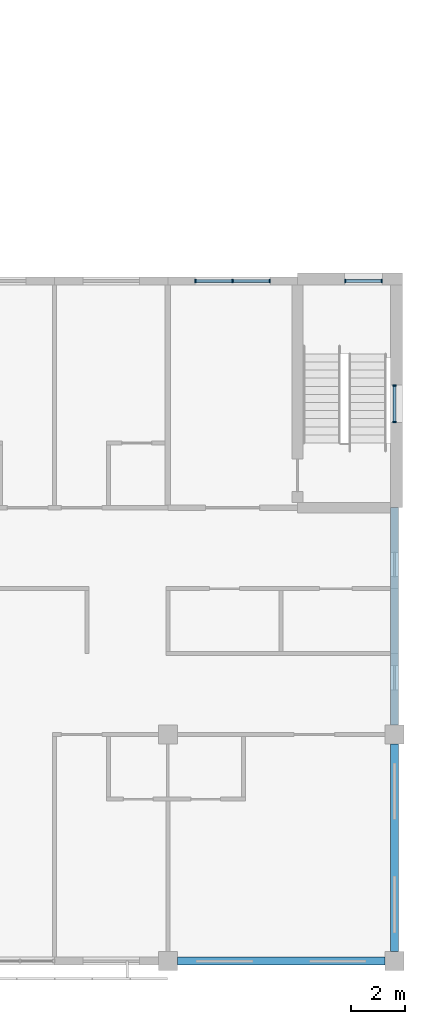
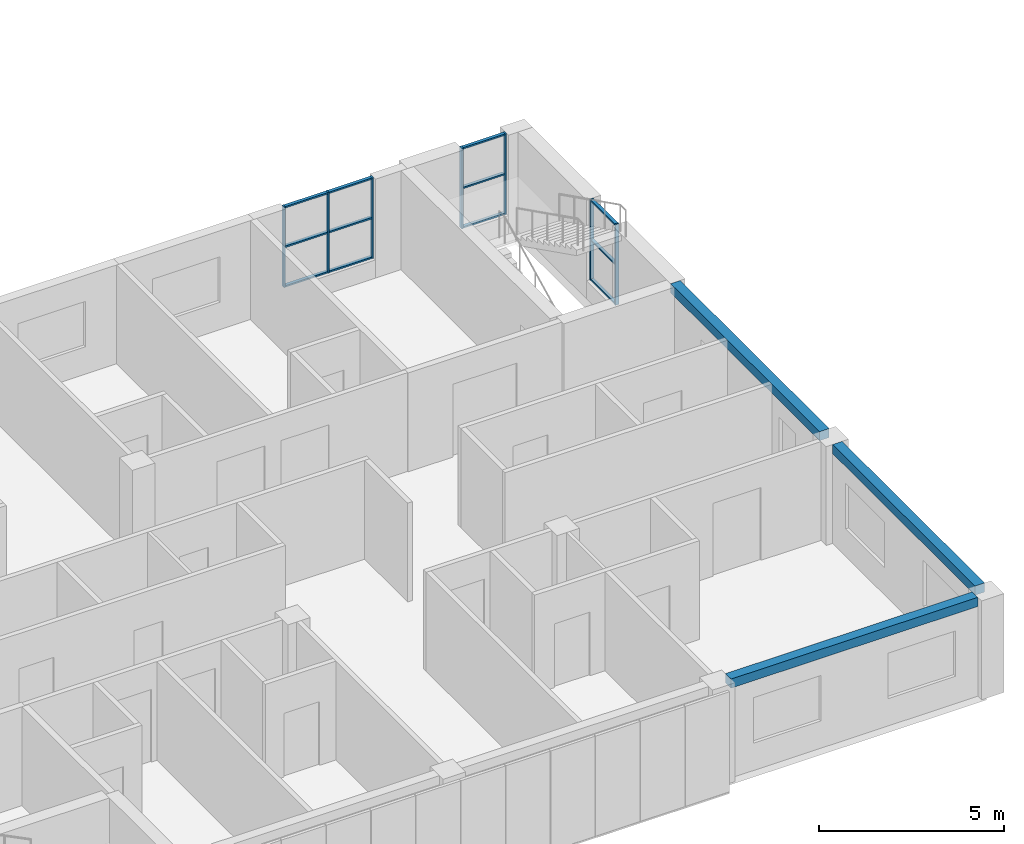
# One storey, part 17 of 45: 19 members, 3 beams, 3 elements without a shape of their own.
"""IFC4 building model written with IfcOpenShell, lengths in metres."""

import ifcopenshell
import ifcopenshell.guid

model = None  # the IFC model being written
_history = None  # IfcOwnerHistory: only IFC2X3 demands one
_inside = {}  # id of a spatial element -> (the spatial element, [elements in it])
_under = {}  # id of a project, library or spatial element -> (it, [spatial elements below it])
_declared = {}  # id of a project -> (the project, [libraries it declares])
_typed = {}  # id of a type object -> (the type object, [elements of that type])
_made_of = {}  # id of a material, layer set ... -> (it, [elements and type objects made of it])


def new_model(schema):
    """Start an empty IFC model of exactly this schema.

    Asked for "IFC4X3", IfcOpenShell would pick the latest addendum, in which some entities
    have other attributes; the version numbers below select the first issue.
    IFC2X3 requires an IfcOwnerHistory on every rooted entity: one is made here for all.
    """
    global model, _history
    if schema == "IFC4X3":
        model = ifcopenshell.file(schema_version=(4, 3, 0, 0))
    else:
        model = ifcopenshell.file(schema=schema)
    _inside.clear()
    _under.clear()
    _declared.clear()
    _typed.clear()
    _made_of.clear()
    _history = None
    if model.schema == "IFC2X3":
        org = make("IfcOrganization", Name="unknown")
        user = make(
            "IfcPersonAndOrganization",
            ThePerson=make("IfcPerson", FamilyName="unknown"),
            TheOrganization=org,
        )
        app = make(
            "IfcApplication",
            ApplicationDeveloper=org,
            Version="unknown",
            ApplicationFullName="unknown",
            ApplicationIdentifier="unknown",
        )
        _history = make(
            "IfcOwnerHistory",
            OwningUser=user,
            OwningApplication=app,
            ChangeAction="ADDED",
            CreationDate=0,
        )
    return model


def make(cls, **values):
    """One entity of the class cls with the attributes given. An attribute that is None is left unset."""
    return model.create_entity(
        cls, **{name: value for name, value in values.items() if value is not None}
    )


def rooted(cls, **values):
    """An entity with a GlobalId (a new one), such as an element, a storey or a relation."""
    return make(cls, GlobalId=ifcopenshell.guid.new(), OwnerHistory=_history, **values)


def si_unit(unit_type, name, prefix=None):
    """IfcSIUnit, for example si_unit("LENGTHUNIT", "METRE", prefix="MILLI")."""
    return make("IfcSIUnit", UnitType=unit_type, Prefix=prefix, Name=name)


def assignment(units):
    """IfcUnitAssignment: the units of a project."""
    return None if units is None else make("IfcUnitAssignment", Units=units)


def point(xyz):
    """IfcCartesianPoint."""
    return None if xyz is None else make("IfcCartesianPoint", Coordinates=xyz)


def direction(xyz):
    """IfcDirection."""
    return None if xyz is None else make("IfcDirection", DirectionRatios=xyz)


def frame(location, z_axis=None, x_axis=None):
    """IfcAxis2Placement3D, a coordinate frame: its origin and axes. An axis left out is left unset."""
    return make(
        "IfcAxis2Placement3D",
        Location=point(location),
        Axis=direction(z_axis),
        RefDirection=direction(x_axis),
    )


def frame_2d(location, x_axis=None):
    """IfcAxis2Placement2D, a coordinate frame in the plane: its origin and x axis."""
    return make(
        "IfcAxis2Placement2D", Location=point(location), RefDirection=direction(x_axis)
    )


def origin():
    """The frame at (0, 0, 0) with its axes left unset."""
    return frame((0.0, 0.0, 0.0))


def origin_2d():
    """The frame at (0, 0) in the plane with its x axis left unset."""
    return frame_2d((0.0, 0.0))


def place(relative_to, where):
    """IfcLocalPlacement: puts the frame where relative to a parent placement (None: the world)."""
    return make(
        "IfcLocalPlacement", PlacementRelTo=relative_to, RelativePlacement=where
    )


def context(
    kind, dimensions, precision=None, world=None, true_north=None, identifier=None
):
    """IfcGeometricRepresentationContext, for example the 3D "Model" context."""
    return make(
        "IfcGeometricRepresentationContext",
        ContextIdentifier=identifier,
        ContextType=kind,
        CoordinateSpaceDimension=dimensions,
        Precision=precision,
        WorldCoordinateSystem=world,
        TrueNorth=true_north,
    )


def subcontext(parent, identifier, kind, view, scale=None):
    """IfcGeometricRepresentationSubContext, for example "Body" below "Model"."""
    return make(
        "IfcGeometricRepresentationSubContext",
        ContextIdentifier=identifier,
        ContextType=kind,
        ParentContext=parent,
        TargetScale=scale,
        TargetView=view,
    )


def project(units=None, contexts=None):
    """IfcProject with its units and contexts."""
    return rooted(
        "IfcProject",
        Name="project",
        RepresentationContexts=contexts,
        UnitsInContext=assignment(units),
    )


def spatial(cls, under=None, at=None, **own):
    """A site, building, storey or space (cls), placed at a placement, below another one or the project."""
    s = rooted(cls, ObjectPlacement=at, **own)
    if under is not None:
        _under.setdefault(under.id(), (under, []))[1].append(s)
    return s


def profile(cls, at=None, kind="AREA", **sizes):
    """A parametric profile (cls). Its sizes go by their IFC names, for example OverallWidth=200.0."""
    return make(cls, ProfileType=kind, Position=at, **sizes)


def rectangle(**sizes):
    """IfcRectangleProfileDef."""
    return profile("IfcRectangleProfileDef", **sizes)


def extrude(swept, where, along, depth):
    """IfcExtrudedAreaSolid: the profile swept, set in the frame where, extruded along a direction by depth."""
    return make(
        "IfcExtrudedAreaSolid",
        SweptArea=swept,
        Position=where,
        ExtrudedDirection=direction(along),
        Depth=depth,
    )


def shape(context_of_items, identifier, shape_type, items):
    """IfcShapeRepresentation: the items that make up one representation, for example the "Body"."""
    return make(
        "IfcShapeRepresentation",
        ContextOfItems=context_of_items,
        RepresentationIdentifier=identifier,
        RepresentationType=shape_type,
        Items=items,
    )


def material(Name=None, Category=None):
    """IfcMaterial."""
    return make("IfcMaterial", Name=Name, Category=Category)


def material_profile(
    of_material, cross_section, Name=None, Category=None, Priority=None
):
    """IfcMaterialProfile: a cross section and its material."""
    return make(
        "IfcMaterialProfile",
        Name=Name,
        Material=of_material,
        Profile=cross_section,
        Priority=Priority,
        Category=Category,
    )


def profile_set(profiles, Name=None, composite=None):
    """IfcMaterialProfileSet."""
    return make(
        "IfcMaterialProfileSet",
        Name=Name,
        MaterialProfiles=profiles,
        CompositeProfile=composite,
    )


def made_of(thing, what):
    """Note that an element or type object is made of a material, layer set ...; save() writes the relation."""
    if what is not None:
        _made_of.setdefault(what.id(), (what, []))[1].append(thing)
    return thing


def type_object(cls, material=None, **own):
    """A type object (cls), such as IfcWallType, which elements share."""
    return made_of(rooted(cls, **own), material)


def element(
    cls,
    number,
    at=None,
    inside=None,
    cuts=None,
    type_object=None,
    material=None,
    context=None,
    identifier="Body",
    shape_type=None,
    held_by="IfcProductDefinitionShape",
    body=None,
    shapes=None,
    **own,
):
    """One element of the class cls, such as IfcWall. Its Tag is "e" and its number.

    at: its placement. inside: the storey or other place that contains it. cuts: it is an
    opening in that element (IfcRelVoidsElement). A single representation is given by context,
    identifier, shape_type and body (its items); several are given by shapes. held_by: the class
    of the entity that holds the representations. save() writes the other relations.
    """
    e = rooted(cls, Tag="e%d" % number, ObjectPlacement=at, **own)
    if body is not None:
        shapes = [shape(context, identifier, shape_type, body)]
    if shapes is not None:
        e.Representation = make(held_by, Representations=shapes)
    if inside is not None:
        _inside.setdefault(inside.id(), (inside, []))[1].append(e)
    if cuts is not None:
        rooted(
            "IfcRelVoidsElement", RelatingBuildingElement=cuts, RelatedOpeningElement=e
        )
    if type_object is not None:
        _typed.setdefault(type_object.id(), (type_object, []))[1].append(e)
    return made_of(e, material)


def aggregate(whole, parts):
    """IfcRelAggregates: a whole, such as a stair, and the parts it consists of."""
    return rooted("IfcRelAggregates", RelatingObject=whole, RelatedObjects=parts)


def save(model, path):
    """Write the relations noted so far, then the file.

    IfcRelAggregates (storeys below a building ...), IfcRelContainedInSpatialStructure (elements
    in a storey), IfcRelDefinesByType, IfcRelAssociatesMaterial and IfcRelDeclares: one each for
    every whole, place, type object, material and project.
    """
    for whole, parts in _under.values():
        aggregate(whole, parts)
    for where, things in _inside.values():
        rooted(
            "IfcRelContainedInSpatialStructure",
            RelatedElements=things,
            RelatingStructure=where,
        )
    for kind, things in _typed.values():
        rooted("IfcRelDefinesByType", RelatedObjects=things, RelatingType=kind)
    for what, things in _made_of.values():
        rooted("IfcRelAssociatesMaterial", RelatedObjects=things, RelatingMaterial=what)
    for by, libraries in _declared.values():
        rooted("IfcRelDeclares", RelatingContext=by, RelatedDefinitions=libraries)
    model.write(path)


model = new_model("IFC4")

# Units and contexts
model_context = context("Model", 3, precision=1e-05, world=origin(), true_north=direction((0.0, 1.0)))
body_context = subcontext(model_context, "Body", "Model", "MODEL_VIEW")
ifc_project = project(units=[si_unit("LENGTHUNIT", "METRE"), si_unit("AREAUNIT", "SQUARE_METRE"), si_unit("VOLUMEUNIT", "CUBIC_METRE"), si_unit("PLANEANGLEUNIT", "RADIAN"), si_unit("MASSUNIT", "GRAM", prefix="KILO")], contexts=[model_context])

# Site, building, storey
site_placement = place(None, origin())
site = spatial("IfcSite", under=ifc_project, at=site_placement, CompositionType="ELEMENT")
building_placement = place(site_placement, origin())
building = spatial("IfcBuilding", under=site, at=building_placement, Name="Yavir Park General Hospital", CompositionType="ELEMENT")
storey_placement = place(building_placement, frame((0.0, 0.0, 22.5)))
storey = spatial("IfcBuildingStorey", under=building, at=storey_placement, Name="L05", CompositionType="ELEMENT", Elevation=22.5)

# Beams
ifc_material_1 = material(Name="Concrete C35/45", Category="concrete")
ifc_material_profile_1 = material_profile(ifc_material_1, rectangle(XDim=0.300048828125, YDim=0.300048828125, at=origin_2d()), Name="RC300x300")
ifc_profile_set_1 = profile_set([ifc_material_profile_1], Name="Concrete C35/45")
beam_type = type_object("IfcBeamType", Name="RC BEAM 300x300 edge beam", PredefinedType="BEAM", material=ifc_profile_set_1)
for number, where, z_axis, x_axis, name in (
    (1, (159.949951171875, 0.0, 3.110107421875), (1.0, 0.0, 0.0), (0.0, 1.0, 0.0), "B:EDGE:L05:010"),
    (2, (168.0, 0.35009765625, 3.110107421875), (0.0, 1.0, 0.0), (-1.0, 0.0, 0.0), "B:EDGE:L05:037"),
):
    element("IfcBeam", number, at=place(storey_placement, frame(where, z_axis=z_axis, x_axis=x_axis)), inside=storey, type_object=beam_type, Name=name, PredefinedType="BEAM", context=body_context, shape_type="SweptSolid", body=[
        extrude(rectangle(XDim=0.300048828125, YDim=0.300048828125, at=origin_2d()), origin(), (0.0, 0.0, 1.0), 7.699951171875),
    ])
beam_placement = place(storey_placement, frame((168.0, 8.75, 3.110107421875), z_axis=(0.0, 1.0, 0.0), x_axis=(-1.0, 0.0, 0.0)))
element("IfcBeam", 3, at=beam_placement, inside=storey, type_object=beam_type, Name="B:EDGE:L05:038", PredefinedType="BEAM", context=body_context, shape_type="SweptSolid", body=[
    extrude(rectangle(XDim=0.300048828125, YDim=0.300048828125, at=origin_2d()), origin(), (0.0, 0.0, 1.0), 8.050048828125),
])

# Curtain wall, members
ifc_material_2 = material(Name="Aluminium curtain wall frame with insulated glazing", Category="aluminium")
curtain_wall_type_1 = type_object("IfcCurtainWallType", Name="Stair light slot, ward floors, 2660 high, 1400 module", PredefinedType="NOTDEFINED", material=ifc_material_2)
curtain_wall_1_placement = place(storey_placement, origin())
curtain_wall_1 = element("IfcCurtainWall", 4, at=curtain_wall_1_placement, inside=storey, type_object=curtain_wall_type_1, Name="CW10 L05-014", PredefinedType="NOTDEFINED")
ifc_material_3 = material(Name="Aluminium", Category="aluminium")
ifc_material_profile_2 = material_profile(ifc_material_3, rectangle(XDim=0.1201171875, YDim=0.050048828125, at=origin_2d()), Name="AL 50x120")
ifc_profile_set_2 = profile_set([ifc_material_profile_2], Name="Aluminium")
member_type_1 = type_object("IfcMemberType", Name="Stair light slot, ward floors, 2660 high mullion 50 x 120", PredefinedType="MULLION", material=ifc_profile_set_2)
member_1_placement = place(storey_placement, frame((166.175048828125, 25.199951171875, 0.60009765625), z_axis=(0.0, 0.0, 1.0), x_axis=(0.0, 1.0, 0.0)))
member_1 = element("IfcMember", 5, at=member_1_placement, type_object=member_type_1, Name="CW10 mullion 1", PredefinedType="MULLION", context=body_context, shape_type="SweptSolid", body=[
    extrude(rectangle(XDim=0.1201171875, YDim=0.050048828125, at=origin_2d()), origin(), (0.0, 0.0, 1.0), 2.659912109375),
])
member_2_placement = place(storey_placement, frame((167.52490234375, 25.199951171875, 0.60009765625), z_axis=(0.0, 0.0, 1.0), x_axis=(0.0, 1.0, 0.0)))
member_2 = element("IfcMember", 6, at=member_2_placement, type_object=member_type_1, Name="CW10 mullion 2", PredefinedType="MULLION", context=body_context, shape_type="SweptSolid", body=[
    extrude(rectangle(XDim=0.1201171875, YDim=0.050048828125, at=origin_2d()), origin(), (0.0, 0.0, 1.0), 2.659912109375),
])

curtain_wall_2_placement = place(storey_placement, origin())
curtain_wall_2 = element("IfcCurtainWall", 7, at=curtain_wall_2_placement, inside=storey, type_object=curtain_wall_type_1, Name="CW10 L05-030", PredefinedType="NOTDEFINED")
member_3_placement = place(storey_placement, frame((168.0, 19.97509765625, 0.60009765625), z_axis=(0.0, 0.0, 1.0), x_axis=(-1.0, 0.0, 0.0)))
member_3 = element("IfcMember", 8, at=member_3_placement, type_object=member_type_1, Name="CW10 mullion 1", PredefinedType="MULLION", context=body_context, shape_type="SweptSolid", body=[
    extrude(rectangle(XDim=0.1201171875, YDim=0.050048828125, at=origin_2d()), origin(), (0.0, 0.0, 1.0), 2.659912109375),
])
member_4_placement = place(storey_placement, frame((168.0, 21.324951171875, 0.60009765625), z_axis=(0.0, 0.0, 1.0), x_axis=(-1.0, 0.0, 0.0)))
member_4 = element("IfcMember", 9, at=member_4_placement, type_object=member_type_1, Name="CW10 mullion 2", PredefinedType="MULLION", context=body_context, shape_type="SweptSolid", body=[
    extrude(rectangle(XDim=0.1201171875, YDim=0.050048828125, at=origin_2d()), origin(), (0.0, 0.0, 1.0), 2.659912109375),
])

# Member
ifc_material_4 = material(Name="Aluminium", Category="aluminium")
ifc_material_profile_3 = material_profile(ifc_material_4, rectangle(XDim=0.10009765625, YDim=0.050048828125, at=origin_2d()), Name="AL 100x50")
ifc_profile_set_3 = profile_set([ifc_material_profile_3], Name="Aluminium")
member_type_2 = type_object("IfcMemberType", Name="Stair light slot, ward floors, 2660 high transom 50 x 100", PredefinedType="MULLION", material=ifc_profile_set_3)
member_5_placement = place(storey_placement, frame((166.199951171875, 25.199951171875, 0.625), z_axis=(1.0, 0.0, 0.0), x_axis=(0.0, 1.0, 0.0)))
member_5 = element("IfcMember", 10, at=member_5_placement, type_object=member_type_2, Name="CW10 transom 1.1", PredefinedType="MULLION", context=body_context, shape_type="SweptSolid", body=[
    extrude(rectangle(XDim=0.10009765625, YDim=0.050048828125, at=origin_2d()), origin(), (0.0, 0.0, 1.0), 1.300048828125),
])

member_6_placement = place(storey_placement, frame((166.199951171875, 25.199951171875, 1.929931640625), z_axis=(1.0, 0.0, 0.0), x_axis=(0.0, 1.0, 0.0)))
member_6 = element("IfcMember", 11, at=member_6_placement, type_object=member_type_2, Name="CW10 transom 1.2", PredefinedType="MULLION", context=body_context, shape_type="SweptSolid", body=[
    extrude(rectangle(XDim=0.10009765625, YDim=0.050048828125, at=origin_2d()), origin(), (0.0, 0.0, 1.0), 1.300048828125),
])

member_7_placement = place(storey_placement, frame((166.199951171875, 25.199951171875, 3.235107421875), z_axis=(1.0, 0.0, 0.0), x_axis=(0.0, 1.0, 0.0)))
member_7 = element("IfcMember", 12, at=member_7_placement, type_object=member_type_2, Name="CW10 transom 1.3", PredefinedType="MULLION", context=body_context, shape_type="SweptSolid", body=[
    extrude(rectangle(XDim=0.10009765625, YDim=0.050048828125, at=origin_2d()), origin(), (0.0, 0.0, 1.0), 1.300048828125),
])

aggregate(curtain_wall_1, [member_1, member_2, member_5, member_6, member_7])

member_8_placement = place(storey_placement, frame((168.0, 20.0, 0.625), z_axis=(0.0, 1.0, 0.0), x_axis=(-1.0, 0.0, 0.0)))
member_8 = element("IfcMember", 13, at=member_8_placement, type_object=member_type_2, Name="CW10 transom 1.1", PredefinedType="MULLION", context=body_context, shape_type="SweptSolid", body=[
    extrude(rectangle(XDim=0.10009765625, YDim=0.050048828125, at=origin_2d()), origin(), (0.0, 0.0, 1.0), 1.300048828125),
])

member_9_placement = place(storey_placement, frame((168.0, 20.0, 1.929931640625), z_axis=(0.0, 1.0, 0.0), x_axis=(-1.0, 0.0, 0.0)))
member_9 = element("IfcMember", 14, at=member_9_placement, type_object=member_type_2, Name="CW10 transom 1.2", PredefinedType="MULLION", context=body_context, shape_type="SweptSolid", body=[
    extrude(rectangle(XDim=0.10009765625, YDim=0.050048828125, at=origin_2d()), origin(), (0.0, 0.0, 1.0), 1.300048828125),
])

member_10_placement = place(storey_placement, frame((168.0, 20.0, 3.235107421875), z_axis=(0.0, 1.0, 0.0), x_axis=(-1.0, 0.0, 0.0)))
member_10 = element("IfcMember", 15, at=member_10_placement, type_object=member_type_2, Name="CW10 transom 1.3", PredefinedType="MULLION", context=body_context, shape_type="SweptSolid", body=[
    extrude(rectangle(XDim=0.10009765625, YDim=0.050048828125, at=origin_2d()), origin(), (0.0, 0.0, 1.0), 1.300048828125),
])

aggregate(curtain_wall_2, [member_3, member_4, member_8, member_9, member_10])

# Curtain wall, members
ifc_material_5 = material(Name="Aluminium curtain wall frame with insulated glazing", Category="aluminium")
curtain_wall_type_2 = type_object("IfcCurtainWallType", Name="Ward corridor end glazing, 2660 high, 1400 module", PredefinedType="NOTDEFINED", material=ifc_material_5)
curtain_wall_3_placement = place(storey_placement, origin())
curtain_wall_3 = element("IfcCurtainWall", 16, at=curtain_wall_3_placement, inside=storey, type_object=curtain_wall_type_2, Name="CW15 L05-013", PredefinedType="NOTDEFINED")
ifc_material_6 = material(Name="Aluminium", Category="aluminium")
ifc_material_profile_4 = material_profile(ifc_material_6, rectangle(XDim=0.1201171875, YDim=0.050048828125, at=origin_2d()), Name="AL 50x120")
ifc_profile_set_4 = profile_set([ifc_material_profile_4], Name="Aluminium")
member_type_3 = type_object("IfcMemberType", Name="Ward corridor end glazing, 2660 high mullion 50 x 120", PredefinedType="MULLION", material=ifc_profile_set_4)
member_11_placement = place(storey_placement, frame((160.625, 25.199951171875, 0.60009765625), z_axis=(0.0, 0.0, 1.0), x_axis=(0.0, 1.0, 0.0)))
member_11 = element("IfcMember", 17, at=member_11_placement, type_object=member_type_3, Name="CW15 mullion 1", PredefinedType="MULLION", context=body_context, shape_type="SweptSolid", body=[
    extrude(rectangle(XDim=0.1201171875, YDim=0.050048828125, at=origin_2d()), origin(), (0.0, 0.0, 1.0), 2.659912109375),
])
member_12_placement = place(storey_placement, frame((162.0, 25.199951171875, 0.60009765625), z_axis=(0.0, 0.0, 1.0), x_axis=(0.0, 1.0, 0.0)))
member_12 = element("IfcMember", 18, at=member_12_placement, type_object=member_type_3, Name="CW15 mullion 2", PredefinedType="MULLION", context=body_context, shape_type="SweptSolid", body=[
    extrude(rectangle(XDim=0.1201171875, YDim=0.050048828125, at=origin_2d()), origin(), (0.0, 0.0, 1.0), 2.659912109375),
])
member_13_placement = place(storey_placement, frame((163.375, 25.199951171875, 0.60009765625), z_axis=(0.0, 0.0, 1.0), x_axis=(0.0, 1.0, 0.0)))
member_13 = element("IfcMember", 19, at=member_13_placement, type_object=member_type_3, Name="CW15 mullion 3", PredefinedType="MULLION", context=body_context, shape_type="SweptSolid", body=[
    extrude(rectangle(XDim=0.1201171875, YDim=0.050048828125, at=origin_2d()), origin(), (0.0, 0.0, 1.0), 2.659912109375),
])
ifc_material_7 = material(Name="Aluminium", Category="aluminium")
ifc_material_profile_5 = material_profile(ifc_material_7, rectangle(XDim=0.10009765625, YDim=0.050048828125, at=origin_2d()), Name="AL 100x50")
ifc_profile_set_5 = profile_set([ifc_material_profile_5], Name="Aluminium")
member_type_4 = type_object("IfcMemberType", Name="Ward corridor end glazing, 2660 high transom 50 x 100", PredefinedType="MULLION", material=ifc_profile_set_5)
member_14_placement = place(storey_placement, frame((160.64990234375, 25.199951171875, 0.625), z_axis=(1.0, 0.0, 0.0), x_axis=(0.0, 1.0, 0.0)))
member_14 = element("IfcMember", 20, at=member_14_placement, type_object=member_type_4, Name="CW15 transom 1.1", PredefinedType="MULLION", context=body_context, shape_type="SweptSolid", body=[
    extrude(rectangle(XDim=0.10009765625, YDim=0.050048828125, at=origin_2d()), origin(), (0.0, 0.0, 1.0), 1.3251953125),
])
member_15_placement = place(storey_placement, frame((160.64990234375, 25.199951171875, 1.929931640625), z_axis=(1.0, 0.0, 0.0), x_axis=(0.0, 1.0, 0.0)))
member_15 = element("IfcMember", 21, at=member_15_placement, type_object=member_type_4, Name="CW15 transom 1.2", PredefinedType="MULLION", context=body_context, shape_type="SweptSolid", body=[
    extrude(rectangle(XDim=0.10009765625, YDim=0.050048828125, at=origin_2d()), origin(), (0.0, 0.0, 1.0), 1.3251953125),
])
member_16_placement = place(storey_placement, frame((160.64990234375, 25.199951171875, 3.235107421875), z_axis=(1.0, 0.0, 0.0), x_axis=(0.0, 1.0, 0.0)))
member_16 = element("IfcMember", 22, at=member_16_placement, type_object=member_type_4, Name="CW15 transom 1.3", PredefinedType="MULLION", context=body_context, shape_type="SweptSolid", body=[
    extrude(rectangle(XDim=0.10009765625, YDim=0.050048828125, at=origin_2d()), origin(), (0.0, 0.0, 1.0), 1.3251953125),
])
member_17_placement = place(storey_placement, frame((162.02490234375, 25.199951171875, 0.625), z_axis=(1.0, 0.0, 0.0), x_axis=(0.0, 1.0, 0.0)))
member_17 = element("IfcMember", 23, at=member_17_placement, type_object=member_type_4, Name="CW15 transom 2.1", PredefinedType="MULLION", context=body_context, shape_type="SweptSolid", body=[
    extrude(rectangle(XDim=0.10009765625, YDim=0.050048828125, at=origin_2d()), origin(), (0.0, 0.0, 1.0), 1.3251953125),
])
member_18_placement = place(storey_placement, frame((162.02490234375, 25.199951171875, 1.929931640625), z_axis=(1.0, 0.0, 0.0), x_axis=(0.0, 1.0, 0.0)))
member_18 = element("IfcMember", 24, at=member_18_placement, type_object=member_type_4, Name="CW15 transom 2.2", PredefinedType="MULLION", context=body_context, shape_type="SweptSolid", body=[
    extrude(rectangle(XDim=0.10009765625, YDim=0.050048828125, at=origin_2d()), origin(), (0.0, 0.0, 1.0), 1.3251953125),
])
member_19_placement = place(storey_placement, frame((162.02490234375, 25.199951171875, 3.235107421875), z_axis=(1.0, 0.0, 0.0), x_axis=(0.0, 1.0, 0.0)))
member_19 = element("IfcMember", 25, at=member_19_placement, type_object=member_type_4, Name="CW15 transom 2.3", PredefinedType="MULLION", context=body_context, shape_type="SweptSolid", body=[
    extrude(rectangle(XDim=0.10009765625, YDim=0.050048828125, at=origin_2d()), origin(), (0.0, 0.0, 1.0), 1.3251953125),
])
aggregate(curtain_wall_3, [member_11, member_12, member_13, member_14, member_15, member_16, member_17, member_18, member_19])

save(model, "model.ifc")
